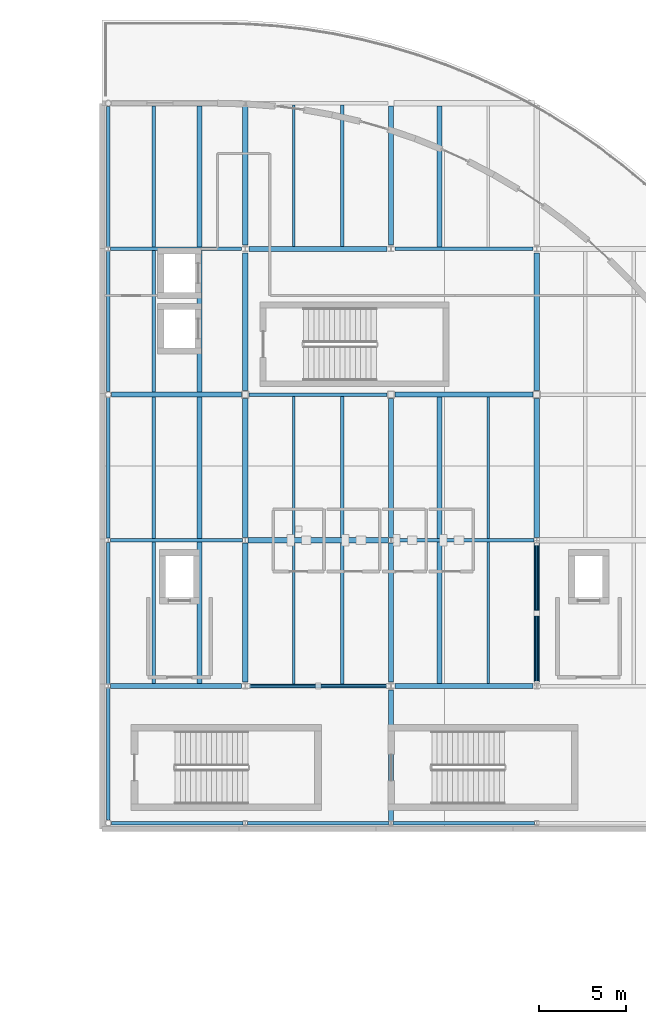
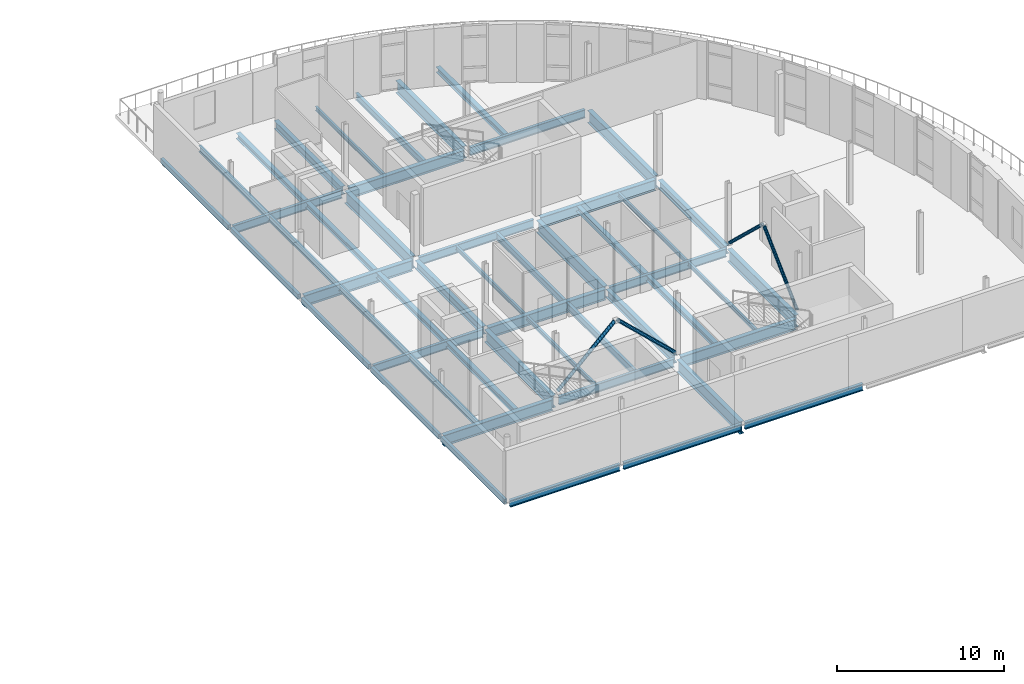
# One storey, part 8 of 40: 50 beams, 4 members.
"""IFC4 building model written with IfcOpenShell, lengths in metres."""

from ifc_helpers import new_model, si_unit, direction, frame, origin, origin_2d, place, context, subcontext, project, spatial, hollow_rectangle, hollow_circle, i_section, extrude, material, material_profile, profile_set, type_object, element, save


model = new_model("IFC4")

# Units and contexts
model_context = context("Model", 3, precision=1e-05, world=origin(), true_north=direction((0.0, 1.0)))
body_context = subcontext(model_context, "Body", "Model", "MODEL_VIEW")
ifc_project = project(units=[si_unit("LENGTHUNIT", "METRE"), si_unit("AREAUNIT", "SQUARE_METRE"), si_unit("VOLUMEUNIT", "CUBIC_METRE"), si_unit("PLANEANGLEUNIT", "RADIAN"), si_unit("MASSUNIT", "GRAM", prefix="KILO"), si_unit("THERMODYNAMICTEMPERATUREUNIT", "KELVIN")], contexts=[model_context])

# Site, building, storey
site_placement = place(None, origin())
site = spatial("IfcSite", under=ifc_project, at=site_placement, CompositionType="ELEMENT")
building_placement = place(site_placement, origin())
building = spatial("IfcBuilding", under=site, at=building_placement, Name="Lustrewick Department Store", CompositionType="ELEMENT")
storey_placement = place(building_placement, frame((0.0, 0.0, 31.800048828125)))
storey = spatial("IfcBuildingStorey", under=building, at=storey_placement, Name="L07", CompositionType="ELEMENT", Elevation=31.800048828125)

# Beams
ifc_material_1 = material(Name="Structural steel Q355B", Category="steel")
ifc_material_profile_1 = material_profile(ifc_material_1, i_section(OverallWidth=0.198974609375, OverallDepth=0.49609375, WebThickness=0.009033203125, FlangeThickness=0.013916015625, FilletRadius=0.01611328125, at=origin_2d()), Name="HN 496x199x9x14")
ifc_profile_set_1 = profile_set([ifc_material_profile_1], Name="Structural steel Q355B")
beam_type_1 = type_object("IfcBeamType", Name="B02", PredefinedType="JOIST", material=ifc_profile_set_1)
beam_1_placement = place(storey_placement, frame((123.199951171875, 58.900390625, -0.5029296875), z_axis=(0.0, 1.0, 0.0), x_axis=(-1.0, 0.0, 0.0)))
element("IfcBeam", 1, at=beam_1_placement, inside=storey, type_object=beam_type_1, Name="L07 V4 Secondary Joist B02", PredefinedType="JOIST", context=body_context, shape_type="SweptSolid", body=[
    extrude(i_section(OverallWidth=0.198974609375, OverallDepth=0.49609375, WebThickness=0.009033203125, FlangeThickness=0.013916015625, FilletRadius=0.01611328125, at=origin_2d()), origin(), (0.0, 0.0, 1.0), 8.149658203125),
])
beam_2_placement = place(storey_placement, frame((123.199951171875, 67.35009765625, -0.5029296875), z_axis=(0.0, 1.0, 0.0), x_axis=(-1.0, 0.0, 0.0)))
element("IfcBeam", 2, at=beam_2_placement, inside=storey, type_object=beam_type_1, Name="L07 V4 Secondary Joist B02", PredefinedType="JOIST", context=body_context, shape_type="SweptSolid", body=[
    extrude(i_section(OverallWidth=0.198974609375, OverallDepth=0.49609375, WebThickness=0.009033203125, FlangeThickness=0.013916015625, FilletRadius=0.01611328125, at=origin_2d()), origin(), (0.0, 0.0, 1.0), 8.1494140625),
])
beam_3_placement = place(storey_placement, frame((123.199951171875, 84.14990234375, -0.5029296875), z_axis=(0.0, 1.0, 0.0), x_axis=(-1.0, 0.0, 0.0)))
element("IfcBeam", 3, at=beam_3_placement, inside=storey, type_object=beam_type_1, Name="L07 V4 Secondary Joist B02", PredefinedType="JOIST", context=body_context, shape_type="SweptSolid", body=[
    extrude(i_section(OverallWidth=0.198974609375, OverallDepth=0.49609375, WebThickness=0.009033203125, FlangeThickness=0.013916015625, FilletRadius=0.01611328125, at=origin_2d()), origin(), (0.0, 0.0, 1.0), 8.149658203125),
])
ifc_material_profile_2 = material_profile(ifc_material_1, i_section(OverallWidth=0.199951171875, OverallDepth=0.449951171875, WebThickness=0.009033203125, FlangeThickness=0.013916015625, FilletRadius=0.01611328125, at=origin_2d()), Name="HN 450x200x9x14")
ifc_profile_set_2 = profile_set([ifc_material_profile_2], Name="Structural steel Q355B")
beam_type_2 = type_object("IfcBeamType", Name="B03", PredefinedType="JOIST", material=ifc_profile_set_2)
beam_4_placement = place(storey_placement, frame((112.333251953125, 58.949951171875, -0.47998046875), z_axis=(0.0, 1.0, 0.0), x_axis=(-1.0, 0.0, 0.0)))
element("IfcBeam", 4, at=beam_4_placement, inside=storey, type_object=beam_type_2, Name="L07 V4 Secondary Joist B03", PredefinedType="JOIST", context=body_context, shape_type="SweptSolid", body=[
    extrude(i_section(OverallWidth=0.199951171875, OverallDepth=0.449951171875, WebThickness=0.009033203125, FlangeThickness=0.013916015625, FilletRadius=0.01611328125, at=origin_2d()), origin(), (0.0, 0.0, 1.0), 8.150146484375),
])
for number, where, z_axis, x_axis, name in (
    (5, (112.333251953125, 67.300048828125, -0.47998046875), (0.0, 1.0, 0.0), (-1.0, 0.0, 0.0), "L07 V4 Secondary Joist B03"),
    (6, (112.333251953125, 75.75, -0.47998046875), (0.0, 1.0, 0.0), (-1.0, 0.0, 0.0), "L07 V4 Secondary Joist B03"),
    (7, (112.333251953125, 84.10009765625, -0.47998046875), (0.0, 1.0, 0.0), (-1.0, 0.0, 0.0), "L07 V4 Secondary Joist B03"),
):
    element("IfcBeam", number, at=place(storey_placement, frame(where, z_axis=z_axis, x_axis=x_axis)), inside=storey, type_object=beam_type_2, Name=name, PredefinedType="JOIST", context=body_context, shape_type="SweptSolid", body=[
        extrude(i_section(OverallWidth=0.199951171875, OverallDepth=0.449951171875, WebThickness=0.009033203125, FlangeThickness=0.013916015625, FilletRadius=0.01611328125, at=origin_2d()), origin(), (0.0, 0.0, 1.0), 8.14990234375),
    ])
ifc_material_profile_3 = material_profile(ifc_material_1, i_section(OverallWidth=0.300048828125, OverallDepth=0.389892578125, WebThickness=0.010009765625, FlangeThickness=0.01611328125, FilletRadius=0.01806640625, at=origin_2d()), Name="HM 390x300x10x16")
ifc_profile_set_3 = profile_set([ifc_material_profile_3], Name="Structural steel Q355B")
beam_type_3 = type_object("IfcBeamType", Name="B07", PredefinedType="JOIST", material=ifc_profile_set_3)
beam_5_placement = place(storey_placement, frame((114.966796875, 58.949951171875, -0.449951171875), z_axis=(0.0, 1.0, 0.0), x_axis=(-1.0, 0.0, 0.0)))
element("IfcBeam", 8, at=beam_5_placement, inside=storey, type_object=beam_type_3, Name="L07 V4 Secondary Joist B07", PredefinedType="JOIST", context=body_context, shape_type="SweptSolid", body=[
    extrude(i_section(OverallWidth=0.300048828125, OverallDepth=0.389892578125, WebThickness=0.010009765625, FlangeThickness=0.01611328125, FilletRadius=0.01806640625, at=origin_2d()), origin(), (0.0, 0.0, 1.0), 8.150146484375),
])
beam_6_placement = place(storey_placement, frame((128.800048828125, 58.949951171875, -0.449951171875), z_axis=(0.0, 1.0, 0.0), x_axis=(-1.0, 0.0, 0.0)))
element("IfcBeam", 9, at=beam_6_placement, inside=storey, type_object=beam_type_3, Name="L07 V4 Secondary Joist B07", PredefinedType="JOIST", context=body_context, shape_type="SweptSolid", body=[
    extrude(i_section(OverallWidth=0.300048828125, OverallDepth=0.389892578125, WebThickness=0.010009765625, FlangeThickness=0.01611328125, FilletRadius=0.01806640625, at=origin_2d()), origin(), (0.0, 0.0, 1.0), 8.149658203125),
])
beam_7_placement = place(storey_placement, frame((114.966796875, 67.300048828125, -0.449951171875), z_axis=(0.0, 1.0, 0.0), x_axis=(-1.0, 0.0, 0.0)))
element("IfcBeam", 10, at=beam_7_placement, inside=storey, type_object=beam_type_3, Name="L07 V4 Secondary Joist B07", PredefinedType="JOIST", context=body_context, shape_type="SweptSolid", body=[
    extrude(i_section(OverallWidth=0.300048828125, OverallDepth=0.389892578125, WebThickness=0.010009765625, FlangeThickness=0.01611328125, FilletRadius=0.01806640625, at=origin_2d()), origin(), (0.0, 0.0, 1.0), 8.14990234375),
])
beam_8_placement = place(storey_placement, frame((128.800048828125, 67.300537109375, -0.449951171875), z_axis=(0.0, 1.0, 0.0), x_axis=(-1.0, 0.0, 0.0)))
element("IfcBeam", 11, at=beam_8_placement, inside=storey, type_object=beam_type_3, Name="L07 V4 Secondary Joist B07", PredefinedType="JOIST", context=body_context, shape_type="SweptSolid", body=[
    extrude(i_section(OverallWidth=0.300048828125, OverallDepth=0.389892578125, WebThickness=0.010009765625, FlangeThickness=0.01611328125, FilletRadius=0.01806640625, at=origin_2d()), origin(), (0.0, 0.0, 1.0), 8.1494140625),
])
for number, where, z_axis, x_axis, name in (
    (12, (114.966796875, 75.75, -0.449951171875), (0.0, 1.0, 0.0), (-1.0, 0.0, 0.0), "L07 V4 Secondary Joist B07"),
    (13, (114.966796875, 84.10009765625, -0.449951171875), (0.0, 1.0, 0.0), (-1.0, 0.0, 0.0), "L07 V4 Secondary Joist B07"),
):
    element("IfcBeam", number, at=place(storey_placement, frame(where, z_axis=z_axis, x_axis=x_axis)), inside=storey, type_object=beam_type_3, Name=name, PredefinedType="JOIST", context=body_context, shape_type="SweptSolid", body=[
        extrude(i_section(OverallWidth=0.300048828125, OverallDepth=0.389892578125, WebThickness=0.010009765625, FlangeThickness=0.01611328125, FilletRadius=0.01806640625, at=origin_2d()), origin(), (0.0, 0.0, 1.0), 8.14990234375),
    ])
beam_9_placement = place(storey_placement, frame((128.800048828125, 84.1005859375, -0.449951171875), z_axis=(0.0, 1.0, 0.0), x_axis=(-1.0, 0.0, 0.0)))
element("IfcBeam", 14, at=beam_9_placement, inside=storey, type_object=beam_type_3, Name="L07 V4 Secondary Joist B07", PredefinedType="JOIST", context=body_context, shape_type="SweptSolid", body=[
    extrude(i_section(OverallWidth=0.300048828125, OverallDepth=0.389892578125, WebThickness=0.010009765625, FlangeThickness=0.01611328125, FilletRadius=0.01806640625, at=origin_2d()), origin(), (0.0, 0.0, 1.0), 8.1484375),
])
ifc_material_profile_4 = material_profile(ifc_material_1, i_section(OverallWidth=0.14990234375, OverallDepth=0.300048828125, WebThickness=0.006591796875, FlangeThickness=0.009033203125, FilletRadius=0.011962890625, at=origin_2d()), Name="HN 300x150x6.5x9")
ifc_profile_set_4 = profile_set([ifc_material_profile_4], Name="Structural steel Q355B")
beam_type_4 = type_object("IfcBeamType", Name="B11", PredefinedType="JOIST", material=ifc_profile_set_4)
for number, where, z_axis, x_axis, name in (
    (15, (120.39990234375, 58.900390625, -0.405029296875), (0.0, 1.0, 0.0), (-1.0, 0.0, 0.0), "L07 V4 Secondary Joist B11"),
    (16, (131.60009765625, 58.949951171875, -0.405029296875), (0.0, 1.0, 0.0), (-1.0, 0.0, 0.0), "L07 V4 Secondary Joist B11"),
):
    element("IfcBeam", number, at=place(storey_placement, frame(where, z_axis=z_axis, x_axis=x_axis)), inside=storey, type_object=beam_type_4, Name=name, PredefinedType="JOIST", context=body_context, shape_type="SweptSolid", body=[
        extrude(i_section(OverallWidth=0.14990234375, OverallDepth=0.300048828125, WebThickness=0.006591796875, FlangeThickness=0.009033203125, FilletRadius=0.011962890625, at=origin_2d()), origin(), (0.0, 0.0, 1.0), 8.149658203125),
    ])
for number, where, z_axis, x_axis, name in (
    (17, (120.39990234375, 67.35009765625, -0.405029296875), (0.0, 1.0, 0.0), (-1.0, 0.0, 0.0), "L07 V4 Secondary Joist B11"),
    (18, (131.60009765625, 67.300537109375, -0.405029296875), (0.0, 1.0, 0.0), (-1.0, 0.0, 0.0), "L07 V4 Secondary Joist B11"),
):
    element("IfcBeam", number, at=place(storey_placement, frame(where, z_axis=z_axis, x_axis=x_axis)), inside=storey, type_object=beam_type_4, Name=name, PredefinedType="JOIST", context=body_context, shape_type="SweptSolid", body=[
        extrude(i_section(OverallWidth=0.14990234375, OverallDepth=0.300048828125, WebThickness=0.006591796875, FlangeThickness=0.009033203125, FilletRadius=0.011962890625, at=origin_2d()), origin(), (0.0, 0.0, 1.0), 8.1494140625),
    ])
beam_10_placement = place(storey_placement, frame((120.39990234375, 84.14990234375, -0.405029296875), z_axis=(0.0, 1.0, 0.0), x_axis=(-1.0, 0.0, 0.0)))
element("IfcBeam", 19, at=beam_10_placement, inside=storey, type_object=beam_type_4, Name="L07 V4 Secondary Joist B11", PredefinedType="JOIST", context=body_context, shape_type="SweptSolid", body=[
    extrude(i_section(OverallWidth=0.14990234375, OverallDepth=0.300048828125, WebThickness=0.006591796875, FlangeThickness=0.009033203125, FilletRadius=0.011962890625, at=origin_2d()), origin(), (0.0, 0.0, 1.0), 8.149658203125),
])

# Members
ifc_material_2 = material(Name="Structural steel Q355C", Category="steel")
ifc_material_profile_5 = material_profile(ifc_material_2, hollow_circle(Radius=0.12255859375, WallThickness=0.010009765625, at=origin_2d()), Name="CHS 245x10")
ifc_profile_set_5 = profile_set([ifc_material_profile_5], Name="Structural steel Q355C")
member_type_1 = type_object("IfcMemberType", Name="BR04", PredefinedType="BRACE", material=ifc_profile_set_5)
member_1_placement = place(storey_placement, frame((117.7470703125, 58.800048828125, 0.14990234375), z_axis=(0.725926764062, 0.0, 0.687772006714), x_axis=(0.0, 1.0, 0.0)))
element("IfcMember", 20, at=member_1_placement, inside=storey, type_object=member_type_1, Name="L07 V4 Chevron Brace BR04", PredefinedType="BRACE", context=body_context, shape_type="SweptSolid", body=[
    extrude(hollow_circle(Radius=0.12255859375, WallThickness=0.010009765625, at=origin_2d()), origin(), (0.0, 0.0, 1.0), 5.4453125),
])
member_2_placement = place(storey_placement, frame((125.85302734375, 58.800048828125, 0.14990234375), z_axis=(-0.725947971437, 0.0, 0.687749622149), x_axis=(0.0, -1.0, 0.0)))
element("IfcMember", 21, at=member_2_placement, inside=storey, type_object=member_type_1, Name="L07 V4 Chevron Brace BR04", PredefinedType="BRACE", context=body_context, shape_type="SweptSolid", body=[
    extrude(hollow_circle(Radius=0.12255859375, WallThickness=0.010009765625, at=origin_2d()), origin(), (0.0, 0.0, 1.0), 5.445556640625),
])
ifc_material_profile_6 = material_profile(ifc_material_1, hollow_circle(Radius=0.109619140625, WallThickness=0.010009765625, at=origin_2d()), Name="CHS 219x10")
ifc_profile_set_6 = profile_set([ifc_material_profile_6], Name="Structural steel Q355B")
member_type_2 = type_object("IfcMemberType", Name="BR05", PredefinedType="BRACE", material=ifc_profile_set_6)
for number, where, z_axis, x_axis, name in (
    (22, (134.39990234375, 58.947021484375, 0.14990234375), (0.0, 0.725926764062, 0.687772006714), (-1.0, 0.0, 0.0), "L07 V4 Chevron Brace BR05"),
    (23, (134.39990234375, 67.052978515625, 0.14990234375), (0.0, -0.725926764062, 0.687772006714), (1.0, 0.0, 0.0), "L07 V4 Chevron Brace BR05"),
):
    element("IfcMember", number, at=place(storey_placement, frame(where, z_axis=z_axis, x_axis=x_axis)), inside=storey, type_object=member_type_2, Name=name, PredefinedType="BRACE", context=body_context, shape_type="SweptSolid", body=[
        extrude(hollow_circle(Radius=0.109619140625, WallThickness=0.010009765625, at=origin_2d()), origin(), (0.0, 0.0, 1.0), 5.4453125),
    ])

# Beams
ifc_material_profile_7 = material_profile(ifc_material_2, i_section(OverallWidth=0.302001953125, OverallDepth=0.912109375, WebThickness=0.01806640625, FlangeThickness=0.033935546875, FilletRadius=0.02392578125, at=origin_2d()), Name="HN 912x302x18x34")
ifc_profile_set_7 = profile_set([ifc_material_profile_7], Name="Structural steel Q355C")
beam_type_5 = type_object("IfcBeamType", Name="G01", PredefinedType="BEAM", material=ifc_profile_set_7)
beam_11_placement = place(storey_placement, frame((117.60009765625, 59.02490234375, -0.7109375), z_axis=(0.0, 1.0, 0.0), x_axis=(-1.0, 0.0, 0.0)))
element("IfcBeam", 24, at=beam_11_placement, inside=storey, type_object=beam_type_5, Name="L07 V4 Girder G01", PredefinedType="BEAM", context=body_context, shape_type="SweptSolid", body=[
    extrude(i_section(OverallWidth=0.302001953125, OverallDepth=0.912109375, WebThickness=0.01806640625, FlangeThickness=0.033935546875, FilletRadius=0.02392578125, at=origin_2d()), origin(), (0.0, 0.0, 1.0), 8.025146484375),
])
beam_12_placement = place(storey_placement, frame((117.60009765625, 75.824951171875, -0.7109375), z_axis=(0.0, 1.0, 0.0), x_axis=(-1.0, 0.0, 0.0)))
element("IfcBeam", 25, at=beam_12_placement, inside=storey, type_object=beam_type_5, Name="L07 V4 Girder G01", PredefinedType="BEAM", context=body_context, shape_type="SweptSolid", body=[
    extrude(i_section(OverallWidth=0.302001953125, OverallDepth=0.912109375, WebThickness=0.01806640625, FlangeThickness=0.033935546875, FilletRadius=0.02392578125, at=origin_2d()), origin(), (0.0, 0.0, 1.0), 7.949951171875),
])
beam_13_placement = place(storey_placement, frame((126.0, 67.35009765625, -0.7109375), z_axis=(0.0, 1.0, 0.0), x_axis=(-1.0, 0.0, 0.0)))
element("IfcBeam", 26, at=beam_13_placement, inside=storey, type_object=beam_type_5, Name="L07 V4 Girder G01", PredefinedType="BEAM", context=body_context, shape_type="SweptSolid", body=[
    extrude(i_section(OverallWidth=0.302001953125, OverallDepth=0.912109375, WebThickness=0.01806640625, FlangeThickness=0.033935546875, FilletRadius=0.02392578125, at=origin_2d()), origin(), (0.0, 0.0, 1.0), 8.02490234375),
])
beam_14_placement = place(storey_placement, frame((126.0, 84.22509765625, -0.7109375), z_axis=(0.0, 1.0, 0.0), x_axis=(-1.0, 0.0, 0.0)))
element("IfcBeam", 27, at=beam_14_placement, inside=storey, type_object=beam_type_5, Name="L07 V4 Girder G01", PredefinedType="BEAM", context=body_context, shape_type="SweptSolid", body=[
    extrude(i_section(OverallWidth=0.302001953125, OverallDepth=0.912109375, WebThickness=0.01806640625, FlangeThickness=0.033935546875, FilletRadius=0.02392578125, at=origin_2d()), origin(), (0.0, 0.0, 1.0), 8.0029296875),
])
beam_15_placement = place(storey_placement, frame((134.39990234375, 59.02490234375, -0.7109375), z_axis=(0.0, 1.0, 0.0), x_axis=(-1.0, 0.0, 0.0)))
element("IfcBeam", 28, at=beam_15_placement, inside=storey, type_object=beam_type_5, Name="L07 V4 Girder G01", PredefinedType="BEAM", context=body_context, shape_type="SweptSolid", body=[
    extrude(i_section(OverallWidth=0.302001953125, OverallDepth=0.912109375, WebThickness=0.01806640625, FlangeThickness=0.033935546875, FilletRadius=0.02392578125, at=origin_2d()), origin(), (0.0, 0.0, 1.0), 8.025146484375),
])
beam_16_placement = place(storey_placement, frame((134.39990234375, 75.824951171875, -0.7109375), z_axis=(0.0, 1.0, 0.0), x_axis=(-1.0, 0.0, 0.0)))
element("IfcBeam", 29, at=beam_16_placement, inside=storey, type_object=beam_type_5, Name="L07 V4 Girder G01", PredefinedType="BEAM", context=body_context, shape_type="SweptSolid", body=[
    extrude(i_section(OverallWidth=0.302001953125, OverallDepth=0.912109375, WebThickness=0.01806640625, FlangeThickness=0.033935546875, FilletRadius=0.02392578125, at=origin_2d()), origin(), (0.0, 0.0, 1.0), 7.949951171875),
])
ifc_material_profile_8 = material_profile(ifc_material_2, i_section(OverallWidth=0.300048828125, OverallDepth=0.89990234375, WebThickness=0.01611328125, FlangeThickness=0.028076171875, FilletRadius=0.02392578125, at=origin_2d()), Name="HN 900x300x16x28")
ifc_profile_set_8 = profile_set([ifc_material_profile_8], Name="Structural steel Q355C")
beam_type_6 = type_object("IfcBeamType", Name="G02", PredefinedType="BEAM", material=ifc_profile_set_8)
beam_17_placement = place(storey_placement, frame((126.0, 51.02490234375, -0.705078125), z_axis=(0.0, 1.0, 0.0), x_axis=(-1.0, 0.0, 0.0)))
element("IfcBeam", 30, at=beam_17_placement, inside=storey, type_object=beam_type_6, Name="L07 V4 Girder G02", PredefinedType="BEAM", context=body_context, shape_type="SweptSolid", body=[
    extrude(i_section(OverallWidth=0.300048828125, OverallDepth=0.89990234375, WebThickness=0.01611328125, FlangeThickness=0.028076171875, FilletRadius=0.02392578125, at=origin_2d()), origin(), (0.0, 0.0, 1.0), 7.550048828125),
])
ifc_material_profile_9 = material_profile(ifc_material_1, i_section(OverallWidth=0.300048828125, OverallDepth=0.800048828125, WebThickness=0.013916015625, FlangeThickness=0.02587890625, FilletRadius=0.02197265625, at=origin_2d()), Name="HN 800x300x14x26")
ifc_profile_set_9 = profile_set([ifc_material_profile_9], Name="Structural steel Q355B")
beam_type_7 = type_object("IfcBeamType", Name="G05", PredefinedType="BEAM", material=ifc_profile_set_9)
beam_18_placement = place(storey_placement, frame((109.824951171875, 58.800048828125, -0.655029296875), z_axis=(1.0, 0.0, 0.0), x_axis=(0.0, 1.0, 0.0)))
element("IfcBeam", 31, at=beam_18_placement, inside=storey, type_object=beam_type_7, Name="L07 V4 Girder G05", PredefinedType="BEAM", context=body_context, shape_type="SweptSolid", body=[
    extrude(i_section(OverallWidth=0.300048828125, OverallDepth=0.800048828125, WebThickness=0.013916015625, FlangeThickness=0.02587890625, FilletRadius=0.02197265625, at=origin_2d()), origin(), (0.0, 0.0, 1.0), 7.550048828125),
])
beam_19_placement = place(storey_placement, frame((126.22509765625, 58.800048828125, -0.655029296875), z_axis=(1.0, 0.0, 0.0), x_axis=(0.0, 1.0, 0.0)))
element("IfcBeam", 32, at=beam_19_placement, inside=storey, type_object=beam_type_7, Name="L07 V4 Girder G05", PredefinedType="BEAM", context=body_context, shape_type="SweptSolid", body=[
    extrude(i_section(OverallWidth=0.300048828125, OverallDepth=0.800048828125, WebThickness=0.013916015625, FlangeThickness=0.02587890625, FilletRadius=0.02197265625, at=origin_2d()), origin(), (0.0, 0.0, 1.0), 7.949951171875),
])
beam_20_placement = place(storey_placement, frame((117.75, 67.199951171875, -0.655029296875), z_axis=(1.0, 0.0, 0.0), x_axis=(0.0, 1.0, 0.0)))
element("IfcBeam", 33, at=beam_20_placement, inside=storey, type_object=beam_type_7, Name="L07 V4 Girder G05", PredefinedType="BEAM", context=body_context, shape_type="SweptSolid", body=[
    extrude(i_section(OverallWidth=0.300048828125, OverallDepth=0.800048828125, WebThickness=0.013916015625, FlangeThickness=0.02587890625, FilletRadius=0.02197265625, at=origin_2d()), origin(), (0.0, 0.0, 1.0), 8.10009765625),
])
beam_21_placement = place(storey_placement, frame((109.8779296875, 75.60009765625, -0.655029296875), z_axis=(1.0, 0.0, 0.0), x_axis=(0.0, 1.0, 0.0)))
element("IfcBeam", 34, at=beam_21_placement, inside=storey, type_object=beam_type_7, Name="L07 V4 Girder G05", PredefinedType="BEAM", context=body_context, shape_type="SweptSolid", body=[
    extrude(i_section(OverallWidth=0.300048828125, OverallDepth=0.800048828125, WebThickness=0.013916015625, FlangeThickness=0.02587890625, FilletRadius=0.02197265625, at=origin_2d()), origin(), (0.0, 0.0, 1.0), 7.4970703125),
])
for number, where, z_axis, x_axis, name in (
    (35, (126.22509765625, 75.60009765625, -0.655029296875), (1.0, 0.0, 0.0), (0.0, 1.0, 0.0), "L07 V4 Girder G05"),
    (36, (117.824951171875, 84.0, -0.655029296875), (1.0, 0.0, 0.0), (0.0, 1.0, 0.0), "L07 V4 Girder G05"),
):
    element("IfcBeam", number, at=place(storey_placement, frame(where, z_axis=z_axis, x_axis=x_axis)), inside=storey, type_object=beam_type_7, Name=name, PredefinedType="BEAM", context=body_context, shape_type="SweptSolid", body=[
        extrude(i_section(OverallWidth=0.300048828125, OverallDepth=0.800048828125, WebThickness=0.013916015625, FlangeThickness=0.02587890625, FilletRadius=0.02197265625, at=origin_2d()), origin(), (0.0, 0.0, 1.0), 7.949951171875),
    ])
ifc_material_profile_10 = material_profile(ifc_material_1, i_section(OverallWidth=0.302001953125, OverallDepth=0.593994140625, WebThickness=0.013916015625, FlangeThickness=0.02294921875, FilletRadius=0.02392578125, at=origin_2d()), Name="HM 594x302x14x23")
ifc_profile_set_10 = profile_set([ifc_material_profile_10], Name="Structural steel Q355B")
beam_type_8 = type_object("IfcBeamType", Name="G10", PredefinedType="BEAM", material=ifc_profile_set_10)
beam_22_placement = place(storey_placement, frame((117.60009765625, 67.35009765625, -0.552001953125), z_axis=(0.0, 1.0, 0.0), x_axis=(-1.0, 0.0, 0.0)))
element("IfcBeam", 37, at=beam_22_placement, inside=storey, type_object=beam_type_8, Name="L07 V4 Girder G10", PredefinedType="BEAM", context=body_context, shape_type="SweptSolid", body=[
    extrude(i_section(OverallWidth=0.302001953125, OverallDepth=0.593994140625, WebThickness=0.013916015625, FlangeThickness=0.02294921875, FilletRadius=0.02392578125, at=origin_2d()), origin(), (0.0, 0.0, 1.0), 8.02490234375),
])
beam_23_placement = place(storey_placement, frame((117.60009765625, 84.22509765625, -0.552001953125), z_axis=(0.0, 1.0, 0.0), x_axis=(-1.0, 0.0, 0.0)))
element("IfcBeam", 38, at=beam_23_placement, inside=storey, type_object=beam_type_8, Name="L07 V4 Girder G10", PredefinedType="BEAM", context=body_context, shape_type="SweptSolid", body=[
    extrude(i_section(OverallWidth=0.302001953125, OverallDepth=0.593994140625, WebThickness=0.013916015625, FlangeThickness=0.02294921875, FilletRadius=0.02392578125, at=origin_2d()), origin(), (0.0, 0.0, 1.0), 8.0029296875),
])
beam_24_placement = place(storey_placement, frame((126.0, 59.02490234375, -0.552001953125), z_axis=(0.0, 1.0, 0.0), x_axis=(-1.0, 0.0, 0.0)))
element("IfcBeam", 39, at=beam_24_placement, inside=storey, type_object=beam_type_8, Name="L07 V4 Girder G10", PredefinedType="BEAM", context=body_context, shape_type="SweptSolid", body=[
    extrude(i_section(OverallWidth=0.302001953125, OverallDepth=0.593994140625, WebThickness=0.013916015625, FlangeThickness=0.02294921875, FilletRadius=0.02392578125, at=origin_2d()), origin(), (0.0, 0.0, 1.0), 8.025146484375),
])
beam_25_placement = place(storey_placement, frame((134.39990234375, 67.35009765625, -0.552001953125), z_axis=(0.0, 1.0, 0.0), x_axis=(-1.0, 0.0, 0.0)))
element("IfcBeam", 40, at=beam_25_placement, inside=storey, type_object=beam_type_8, Name="L07 V4 Girder G10", PredefinedType="BEAM", context=body_context, shape_type="SweptSolid", body=[
    extrude(i_section(OverallWidth=0.302001953125, OverallDepth=0.593994140625, WebThickness=0.013916015625, FlangeThickness=0.02294921875, FilletRadius=0.02392578125, at=origin_2d()), origin(), (0.0, 0.0, 1.0), 8.02490234375),
])
ifc_material_profile_11 = material_profile(ifc_material_1, i_section(OverallWidth=0.200927734375, OverallDepth=0.60595703125, WebThickness=0.011962890625, FlangeThickness=0.02001953125, FilletRadius=0.01806640625, at=origin_2d()), Name="HN 606x201x12x20")
ifc_profile_set_11 = profile_set([ifc_material_profile_11], Name="Structural steel Q355B")
beam_type_9 = type_object("IfcBeamType", Name="G13", PredefinedType="BEAM", material=ifc_profile_set_11)
beam_26_placement = place(storey_placement, frame((117.824951171875, 58.800048828125, -0.55810546875), z_axis=(1.0, 0.0, 0.0), x_axis=(0.0, 1.0, 0.0)))
element("IfcBeam", 41, at=beam_26_placement, inside=storey, type_object=beam_type_9, Name="L07 V4 Girder G13", PredefinedType="BEAM", context=body_context, shape_type="SweptSolid", body=[
    extrude(i_section(OverallWidth=0.200927734375, OverallDepth=0.60595703125, WebThickness=0.011962890625, FlangeThickness=0.02001953125, FilletRadius=0.01806640625, at=origin_2d()), origin(), (0.0, 0.0, 1.0), 7.949951171875),
])
beam_27_placement = place(storey_placement, frame((126.14990234375, 67.199951171875, -0.55810546875), z_axis=(1.0, 0.0, 0.0), x_axis=(0.0, 1.0, 0.0)))
element("IfcBeam", 42, at=beam_27_placement, inside=storey, type_object=beam_type_9, Name="L07 V4 Girder G13", PredefinedType="BEAM", context=body_context, shape_type="SweptSolid", body=[
    extrude(i_section(OverallWidth=0.200927734375, OverallDepth=0.60595703125, WebThickness=0.011962890625, FlangeThickness=0.02001953125, FilletRadius=0.01806640625, at=origin_2d()), origin(), (0.0, 0.0, 1.0), 8.10009765625),
])
for number, where, z_axis, x_axis, name in (
    (43, (117.824951171875, 75.60009765625, -0.55810546875), (1.0, 0.0, 0.0), (0.0, 1.0, 0.0), "L07 V4 Girder G13"),
    (44, (126.22509765625, 84.0, -0.55810546875), (1.0, 0.0, 0.0), (0.0, 1.0, 0.0), "L07 V4 Girder G13"),
):
    element("IfcBeam", number, at=place(storey_placement, frame(where, z_axis=z_axis, x_axis=x_axis)), inside=storey, type_object=beam_type_9, Name=name, PredefinedType="BEAM", context=body_context, shape_type="SweptSolid", body=[
        extrude(i_section(OverallWidth=0.200927734375, OverallDepth=0.60595703125, WebThickness=0.011962890625, FlangeThickness=0.02001953125, FilletRadius=0.01806640625, at=origin_2d()), origin(), (0.0, 0.0, 1.0), 7.949951171875),
    ])
ifc_material_profile_12 = material_profile(ifc_material_1, i_section(OverallWidth=0.199951171875, OverallDepth=0.60009765625, WebThickness=0.010986328125, FlangeThickness=0.01708984375, FilletRadius=0.01806640625, at=origin_2d()), Name="HN 600x200x11x17")
ifc_profile_set_12 = profile_set([ifc_material_profile_12], Name="Structural steel Q355B")
beam_type_10 = type_object("IfcBeamType", Name="G14", PredefinedType="BEAM", material=ifc_profile_set_12)
beam_28_placement = place(storey_placement, frame((109.824951171875, 67.199951171875, -0.554931640625), z_axis=(1.0, 0.0, 0.0), x_axis=(0.0, 1.0, 0.0)))
element("IfcBeam", 45, at=beam_28_placement, inside=storey, type_object=beam_type_10, Name="L07 V4 Girder G14", PredefinedType="BEAM", context=body_context, shape_type="SweptSolid", body=[
    extrude(i_section(OverallWidth=0.199951171875, OverallDepth=0.60009765625, WebThickness=0.010986328125, FlangeThickness=0.01708984375, FilletRadius=0.01806640625, at=origin_2d()), origin(), (0.0, 0.0, 1.0), 7.625),
])
beam_29_placement = place(storey_placement, frame((109.824951171875, 84.0, -0.554931640625), z_axis=(1.0, 0.0, 0.0), x_axis=(0.0, 1.0, 0.0)))
element("IfcBeam", 46, at=beam_29_placement, inside=storey, type_object=beam_type_10, Name="L07 V4 Girder G14", PredefinedType="BEAM", context=body_context, shape_type="SweptSolid", body=[
    extrude(i_section(OverallWidth=0.199951171875, OverallDepth=0.60009765625, WebThickness=0.010986328125, FlangeThickness=0.01708984375, FilletRadius=0.01806640625, at=origin_2d()), origin(), (0.0, 0.0, 1.0), 7.550048828125),
])
ifc_material_profile_13 = material_profile(ifc_material_1, i_section(OverallWidth=0.200927734375, OverallDepth=0.506103515625, WebThickness=0.010986328125, FlangeThickness=0.01904296875, FilletRadius=0.01611328125, at=origin_2d()), Name="HN 506x201x11x19")
ifc_profile_set_13 = profile_set([ifc_material_profile_13], Name="Structural steel Q355B")
beam_type_11 = type_object("IfcBeamType", Name="SP01", PredefinedType="SPANDREL", material=ifc_profile_set_13)
beam_30_placement = place(storey_placement, frame((109.8779296875, 50.89990234375, -0.508056640625), z_axis=(1.0, 0.0, 0.0), x_axis=(0.0, 1.0, 0.0)))
element("IfcBeam", 47, at=beam_30_placement, inside=storey, type_object=beam_type_11, Name="L07 V4 Girder SP01", PredefinedType="SPANDREL", context=body_context, shape_type="SweptSolid", body=[
    extrude(i_section(OverallWidth=0.200927734375, OverallDepth=0.506103515625, WebThickness=0.010986328125, FlangeThickness=0.01904296875, FilletRadius=0.01611328125, at=origin_2d()), origin(), (0.0, 0.0, 1.0), 7.59716796875),
])
for number, where, z_axis, x_axis, name in (
    (48, (117.72509765625, 50.89990234375, -0.508056640625), (1.0, 0.0, 0.0), (0.0, 1.0, 0.0), "L07 V4 Girder SP01"),
    (49, (126.125, 50.89990234375, -0.508056640625), (1.0, 0.0, 0.0), (0.0, 1.0, 0.0), "L07 V4 Girder SP01"),
):
    element("IfcBeam", number, at=place(storey_placement, frame(where, z_axis=z_axis, x_axis=x_axis)), inside=storey, type_object=beam_type_11, Name=name, PredefinedType="SPANDREL", context=body_context, shape_type="SweptSolid", body=[
        extrude(i_section(OverallWidth=0.200927734375, OverallDepth=0.506103515625, WebThickness=0.010986328125, FlangeThickness=0.01904296875, FilletRadius=0.01611328125, at=origin_2d()), origin(), (0.0, 0.0, 1.0), 8.14990234375),
    ])
ifc_material_profile_14 = material_profile(ifc_material_2, hollow_rectangle(XDim=0.199951171875, YDim=0.35009765625, WallThickness=0.011962890625, at=origin_2d()), Name="RHS 350x200x12")
ifc_profile_set_14 = profile_set([ifc_material_profile_14], Name="Structural steel Q355C")
beam_type_12 = type_object("IfcBeamType", Name="SP03", PredefinedType="SPANDREL", material=ifc_profile_set_14)
beam_31_placement = place(storey_placement, frame((109.699951171875, 51.077880859375, -0.429931640625), z_axis=(0.0, 1.0, 0.0), x_axis=(-1.0, 0.0, 0.0)))
element("IfcBeam", 50, at=beam_31_placement, inside=storey, type_object=beam_type_12, Name="L07 V4 Girder SP03", PredefinedType="SPANDREL", context=body_context, shape_type="SweptSolid", body=[
    extrude(hollow_rectangle(XDim=0.199951171875, YDim=0.35009765625, WallThickness=0.011962890625, at=origin_2d()), origin(), (0.0, 0.0, 1.0), 7.59716796875),
])
beam_32_placement = place(storey_placement, frame((109.699951171875, 58.925048828125, -0.429931640625), z_axis=(0.0, 1.0, 0.0), x_axis=(-1.0, 0.0, 0.0)))
element("IfcBeam", 51, at=beam_32_placement, inside=storey, type_object=beam_type_12, Name="L07 V4 Girder SP03", PredefinedType="SPANDREL", context=body_context, shape_type="SweptSolid", body=[
    extrude(hollow_rectangle(XDim=0.199951171875, YDim=0.35009765625, WallThickness=0.011962890625, at=origin_2d()), origin(), (0.0, 0.0, 1.0), 8.14990234375),
])
beam_33_placement = place(storey_placement, frame((109.699951171875, 67.324951171875, -0.429931640625), z_axis=(0.0, 1.0, 0.0), x_axis=(-1.0, 0.0, 0.0)))
element("IfcBeam", 52, at=beam_33_placement, inside=storey, type_object=beam_type_12, Name="L07 V4 Girder SP03", PredefinedType="SPANDREL", context=body_context, shape_type="SweptSolid", body=[
    extrude(hollow_rectangle(XDim=0.199951171875, YDim=0.35009765625, WallThickness=0.011962890625, at=origin_2d()), origin(), (0.0, 0.0, 1.0), 8.09716796875),
])
for number, where, z_axis, x_axis, name in (
    (53, (109.699951171875, 75.778076171875, -0.429931640625), (0.0, 1.0, 0.0), (-1.0, 0.0, 0.0), "L07 V4 Girder SP03"),
    (54, (109.699951171875, 84.125, -0.429931640625), (0.0, 1.0, 0.0), (-1.0, 0.0, 0.0), "L07 V4 Girder SP03"),
):
    element("IfcBeam", number, at=place(storey_placement, frame(where, z_axis=z_axis, x_axis=x_axis)), inside=storey, type_object=beam_type_12, Name=name, PredefinedType="SPANDREL", context=body_context, shape_type="SweptSolid", body=[
        extrude(hollow_rectangle(XDim=0.199951171875, YDim=0.35009765625, WallThickness=0.011962890625, at=origin_2d()), origin(), (0.0, 0.0, 1.0), 8.096923828125),
    ])

save(model, "model.ifc")
